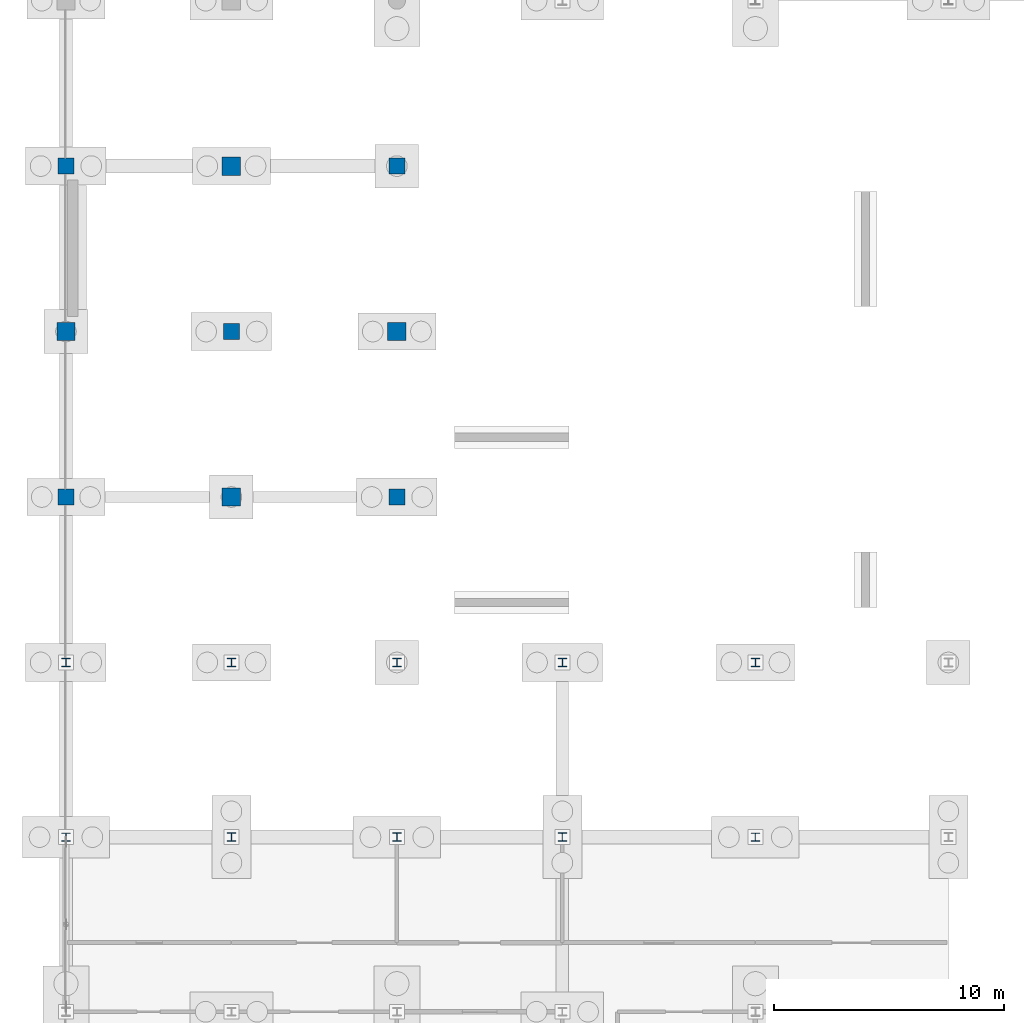
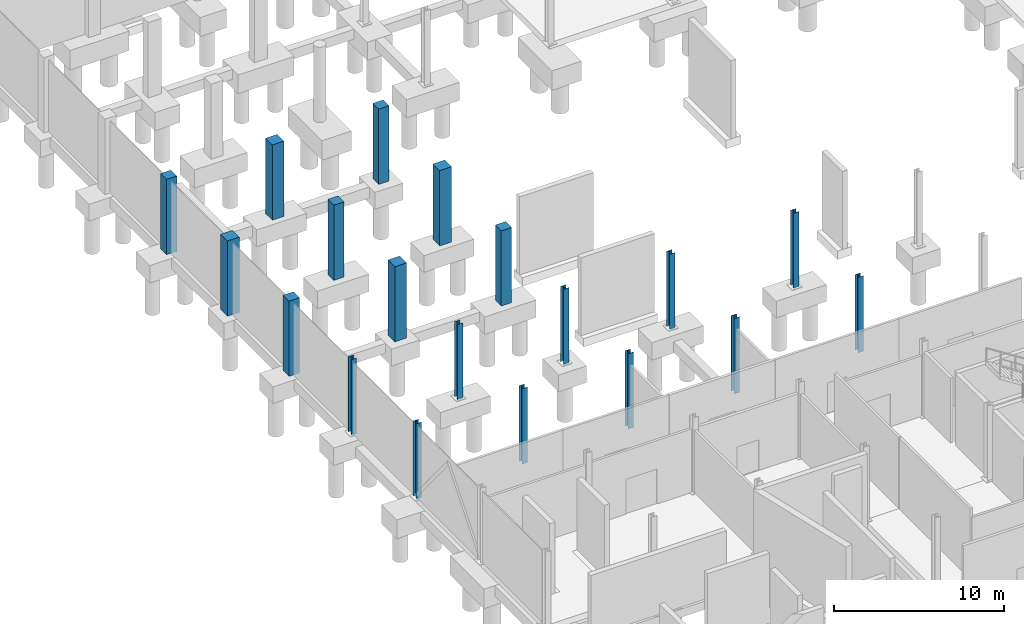
# One storey, part 22 of 61: 19 columns.
"""IFC4 building model written with IfcOpenShell, lengths in metres."""

from ifc_helpers import new_model, si_unit, direction, frame, origin, origin_2d, place, context, subcontext, project, spatial, rectangle, i_section, extrude, material, material_profile, profile_set, type_object, element, save


model = new_model("IFC4")

# Units and contexts
model_context = context("Model", 3, precision=1e-05, world=origin(), true_north=direction((0.0, 1.0)))
body_context = subcontext(model_context, "Body", "Model", "MODEL_VIEW")
ifc_project = project(units=[si_unit("LENGTHUNIT", "METRE"), si_unit("AREAUNIT", "SQUARE_METRE"), si_unit("VOLUMEUNIT", "CUBIC_METRE"), si_unit("PLANEANGLEUNIT", "RADIAN"), si_unit("MASSUNIT", "GRAM", prefix="KILO")], contexts=[model_context])

# Site, building, storey
site_placement = place(None, origin())
site = spatial("IfcSite", under=ifc_project, at=site_placement, CompositionType="ELEMENT")
building_placement = place(site_placement, origin())
building = spatial("IfcBuilding", under=site, at=building_placement, Name="Calvrana Isthmian Art Gallery", CompositionType="ELEMENT")
storey_placement = place(building_placement, frame((0.0, 0.0, -5.39990234375)))
storey = spatial("IfcBuildingStorey", under=building, at=storey_placement, Name="B1", CompositionType="ELEMENT", Elevation=-5.39990234375)

# Columns
ifc_material_1 = material(Name="Concrete C40/50", Category="concrete")
ifc_material_profile_1 = material_profile(ifc_material_1, rectangle(XDim=0.699951171875, YDim=0.699951171875, at=origin_2d()), Name="RC700X700")
ifc_profile_set_1 = profile_set([ifc_material_profile_1], Name="Concrete C40/50")
column_type_1 = type_object("IfcColumnType", Name="COL-RC-RC700X700", PredefinedType="COLUMN", material=ifc_profile_set_1)
for number, where, z_axis, x_axis, name in (
    (1, (0.0, 76.800048828125, 0.0), (0.0, 0.0, 1.0), (1.0, 0.0, 0.0), "Column 01/K B1"),
    (2, (0.0, 91.199951171875, 0.0), (0.0, 0.0, 1.0), (1.0, 0.0, 0.0), "Column 01/M B1"),
    (3, (7.199951171875, 84.0, 0.0), (0.0, 0.0, 1.0), (1.0, 0.0, 0.0), "Column 02/L B1"),
    (4, (14.39990234375, 76.800048828125, 0.0), (0.0, 0.0, 1.0), (1.0, 0.0, 0.0), "Column 03/K B1"),
    (5, (14.39990234375, 91.199951171875, 0.0), (0.0, 0.0, 1.0), (1.0, 0.0, 0.0), "Column 03/M B1"),
):
    element("IfcColumn", number, at=place(storey_placement, frame(where, z_axis=z_axis, x_axis=x_axis)), inside=storey, type_object=column_type_1, Name=name, PredefinedType="COLUMN", context=body_context, shape_type="SweptSolid", body=[
        extrude(rectangle(XDim=0.699951171875, YDim=0.699951171875, at=origin_2d()), origin(), (0.0, 0.0, 1.0), 5.39990234375),
    ])
ifc_material_profile_2 = material_profile(ifc_material_1, rectangle(XDim=0.800048828125, YDim=0.800048828125, at=origin_2d()), Name="RC800X800")
ifc_profile_set_2 = profile_set([ifc_material_profile_2], Name="Concrete C40/50")
column_type_2 = type_object("IfcColumnType", Name="COL-RC-RC800X800", PredefinedType="COLUMN", material=ifc_profile_set_2)
for number, where, z_axis, x_axis, name in (
    (6, (0.0, 84.0, 0.0), (0.0, 0.0, 1.0), (1.0, 0.0, 0.0), "Column 01/L B1"),
    (7, (7.199951171875, 76.800048828125, 0.0), (0.0, 0.0, 1.0), (1.0, 0.0, 0.0), "Column 02/K B1"),
    (8, (7.199951171875, 91.199951171875, 0.0), (0.0, 0.0, 1.0), (1.0, 0.0, 0.0), "Column 02/M B1"),
    (9, (14.39990234375, 84.0, 0.0), (0.0, 0.0, 1.0), (1.0, 0.0, 0.0), "Column 03/L B1"),
):
    element("IfcColumn", number, at=place(storey_placement, frame(where, z_axis=z_axis, x_axis=x_axis)), inside=storey, type_object=column_type_2, Name=name, PredefinedType="COLUMN", context=body_context, shape_type="SweptSolid", body=[
        extrude(rectangle(XDim=0.800048828125, YDim=0.800048828125, at=origin_2d()), origin(), (0.0, 0.0, 1.0), 5.39990234375),
    ])
ifc_material_2 = material(Name="Steel ASTM A992 Gr 50", Category="steel")
ifc_material_profile_3 = material_profile(ifc_material_2, i_section(OverallWidth=0.37109375, OverallDepth=0.363037109375, WebThickness=0.01318359375, FlangeThickness=0.021728515625, FilletRadius=0.02490234375, at=origin_2d()), Name="W14X109")
ifc_profile_set_3 = profile_set([ifc_material_profile_3], Name="Steel ASTM A992 Gr 50")
column_type_3 = type_object("IfcColumnType", Name="COL-STL-W14X109", PredefinedType="COLUMN", material=ifc_profile_set_3)
for number, where, z_axis, x_axis, name in (
    (10, (0.0, 69.60009765625, 0.0), (0.0, 0.0, 1.0), (1.0, 0.0, 0.0), "Column 01/J B1"),
    (11, (21.60009765625, 62.0, 0.0), (0.0, 0.0, 1.0), (1.0, 0.0, 0.0), "Column 04/I B1"),
    (12, (30.0, 69.60009765625, 0.0), (0.0, 0.0, 1.0), (1.0, 0.0, 0.0), "Column 05/J B1"),
):
    element("IfcColumn", number, at=place(storey_placement, frame(where, z_axis=z_axis, x_axis=x_axis)), inside=storey, type_object=column_type_3, Name=name, PredefinedType="COLUMN", context=body_context, shape_type="SweptSolid", body=[
        extrude(i_section(OverallWidth=0.37109375, OverallDepth=0.363037109375, WebThickness=0.01318359375, FlangeThickness=0.021728515625, FilletRadius=0.02490234375, at=origin_2d()), origin(), (0.0, 0.0, 1.0), 5.39990234375),
    ])
ifc_material_profile_4 = material_profile(ifc_material_2, i_section(OverallWidth=0.373046875, OverallDepth=0.367919921875, WebThickness=0.014892578125, FlangeThickness=0.02392578125, FilletRadius=0.02490234375, at=origin_2d()), Name="W14X120")
ifc_profile_set_4 = profile_set([ifc_material_profile_4], Name="Steel ASTM A992 Gr 50")
column_type_4 = type_object("IfcColumnType", Name="COL-STL-W14X120", PredefinedType="COLUMN", material=ifc_profile_set_4)
for number, where, z_axis, x_axis, name in (
    (13, (14.39990234375, 62.0, 0.0), (0.0, 0.0, 1.0), (1.0, 0.0, 0.0), "Column 03/I B1"),
    (14, (21.60009765625, 69.60009765625, 0.0), (0.0, 0.0, 1.0), (1.0, 0.0, 0.0), "Column 04/J B1"),
):
    element("IfcColumn", number, at=place(storey_placement, frame(where, z_axis=z_axis, x_axis=x_axis)), inside=storey, type_object=column_type_4, Name=name, PredefinedType="COLUMN", context=body_context, shape_type="SweptSolid", body=[
        extrude(i_section(OverallWidth=0.373046875, OverallDepth=0.367919921875, WebThickness=0.014892578125, FlangeThickness=0.02392578125, FilletRadius=0.02490234375, at=origin_2d()), origin(), (0.0, 0.0, 1.0), 5.39990234375),
    ])
ifc_material_profile_5 = material_profile(ifc_material_2, i_section(OverallWidth=0.373046875, OverallDepth=0.373046875, WebThickness=0.016357421875, FlangeThickness=0.026123046875, FilletRadius=0.02490234375, at=origin_2d()), Name="W14X132")
ifc_profile_set_5 = profile_set([ifc_material_profile_5], Name="Steel ASTM A992 Gr 50")
column_type_5 = type_object("IfcColumnType", Name="COL-STL-W14X132", PredefinedType="COLUMN", material=ifc_profile_set_5)
for number, where, z_axis, x_axis, name in (
    (15, (7.199951171875, 62.0, 0.0), (0.0, 0.0, 1.0), (1.0, 0.0, 0.0), "Column 02/I B1"),
    (16, (14.39990234375, 69.60009765625, 0.0), (0.0, 0.0, 1.0), (1.0, 0.0, 0.0), "Column 03/J B1"),
):
    element("IfcColumn", number, at=place(storey_placement, frame(where, z_axis=z_axis, x_axis=x_axis)), inside=storey, type_object=column_type_5, Name=name, PredefinedType="COLUMN", context=body_context, shape_type="SweptSolid", body=[
        extrude(i_section(OverallWidth=0.373046875, OverallDepth=0.373046875, WebThickness=0.016357421875, FlangeThickness=0.026123046875, FilletRadius=0.02490234375, at=origin_2d()), origin(), (0.0, 0.0, 1.0), 5.39990234375),
    ])
ifc_material_profile_6 = material_profile(ifc_material_2, i_section(OverallWidth=0.367919921875, OverallDepth=0.35595703125, WebThickness=0.01123046875, FlangeThickness=0.01806640625, FilletRadius=0.02490234375, at=origin_2d()), Name="W14X90")
ifc_profile_set_6 = profile_set([ifc_material_profile_6], Name="Steel ASTM A992 Gr 50")
column_type_6 = type_object("IfcColumnType", Name="COL-STL-W14X90", PredefinedType="COLUMN", material=ifc_profile_set_6)
for number, where, z_axis, x_axis, name in (
    (17, (0.0, 62.0, 0.0), (0.0, 0.0, 1.0), (1.0, 0.0, 0.0), "Column 01/I B1"),
    (18, (7.199951171875, 69.60009765625, 0.0), (0.0, 0.0, 1.0), (1.0, 0.0, 0.0), "Column 02/J B1"),
    (19, (30.0, 62.0, 0.0), (0.0, 0.0, 1.0), (1.0, 0.0, 0.0), "Column 05/I B1"),
):
    element("IfcColumn", number, at=place(storey_placement, frame(where, z_axis=z_axis, x_axis=x_axis)), inside=storey, type_object=column_type_6, Name=name, PredefinedType="COLUMN", context=body_context, shape_type="SweptSolid", body=[
        extrude(i_section(OverallWidth=0.367919921875, OverallDepth=0.35595703125, WebThickness=0.01123046875, FlangeThickness=0.01806640625, FilletRadius=0.02490234375, at=origin_2d()), origin(), (0.0, 0.0, 1.0), 5.39990234375),
    ])

save(model, "model.ifc")
